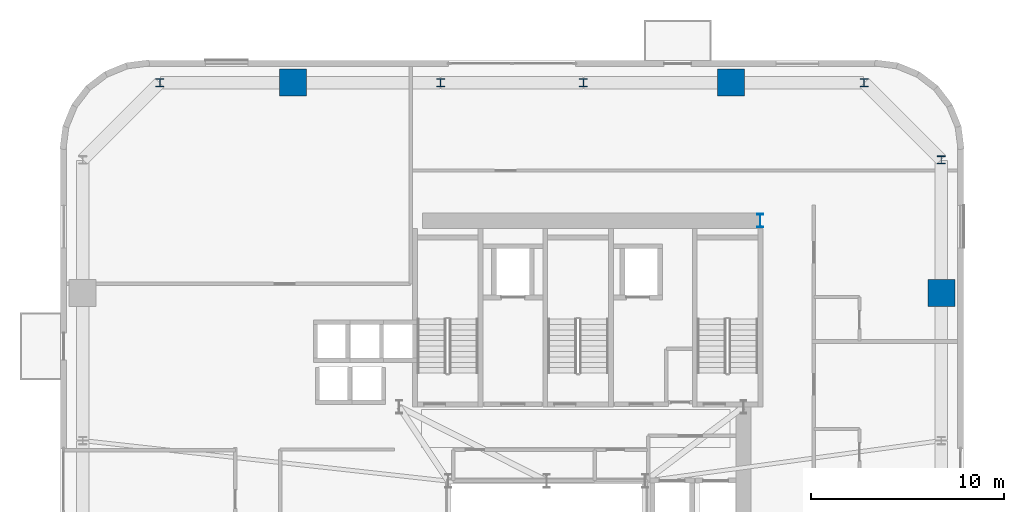
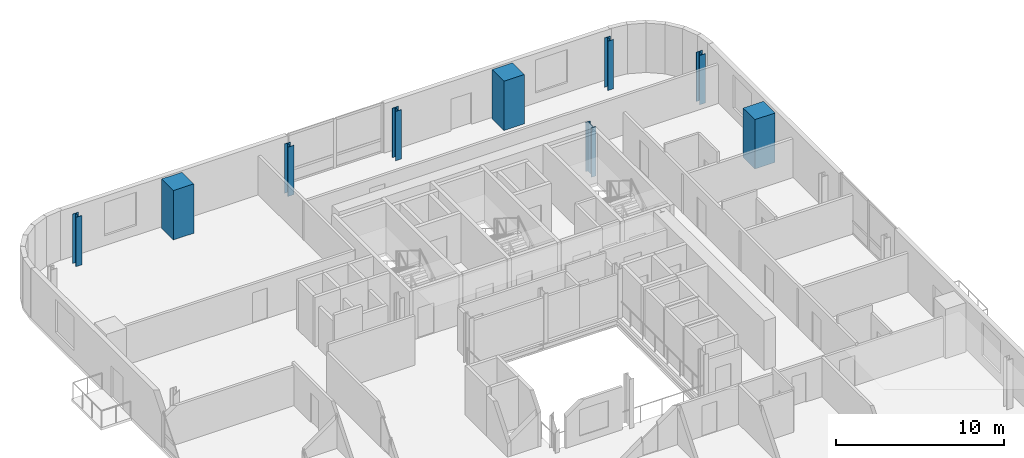
# One storey, part 2 of 14: 9 columns.
"""IFC4 building model written with IfcOpenShell, lengths in metres."""

from ifc_helpers import new_model, si_unit, direction, frame, origin, origin_2d, place, context, subcontext, project, spatial, rectangle, i_section, extrude, source, transform, mapped, material, material_profile, profile_set, type_object, element, save


model = new_model("IFC4")

# Units and contexts
model_context = context("Model", 3, precision=1e-05, world=origin(), true_north=direction((0.0, 1.0)))
body_context = subcontext(model_context, "Body", "Model", "MODEL_VIEW")
ifc_project = project(units=[si_unit("LENGTHUNIT", "METRE"), si_unit("AREAUNIT", "SQUARE_METRE"), si_unit("VOLUMEUNIT", "CUBIC_METRE"), si_unit("PLANEANGLEUNIT", "RADIAN"), si_unit("MASSUNIT", "GRAM", prefix="KILO")], contexts=[model_context])

# Site, building, storey
site_placement = place(None, origin())
site = spatial("IfcSite", under=ifc_project, at=site_placement, CompositionType="ELEMENT")
building_placement = place(site_placement, origin())
building = spatial("IfcBuilding", under=site, at=building_placement, Name="Vardaveli Station Tower", CompositionType="ELEMENT")
storey_placement = place(building_placement, frame((0.0, 0.0, 177.199951171875)))
storey = spatial("IfcBuildingStorey", under=building, at=storey_placement, Name="L45", CompositionType="ELEMENT", Elevation=177.199951171875)

# Columns
ifc_material_1 = material(Name="Structural steel S460M", Category="steel")
ifc_material_profile_1 = material_profile(ifc_material_1, i_section(OverallWidth=0.300048828125, OverallDepth=0.699951171875, WebThickness=0.01708984375, FlangeThickness=0.031982421875, FilletRadius=0.027099609375, at=origin_2d()), Name="HEB 700")
ifc_profile_set_1 = profile_set([ifc_material_profile_1], Name="Structural steel S460M")
column_type_1 = type_object("IfcColumnType", Name="COL-HEB700", PredefinedType="COLUMN", material=ifc_profile_set_1)
shared_shape_1 = source(origin(), body_context, "Body", "SweptSolid", [
    extrude(i_section(OverallWidth=0.300048828125, OverallDepth=0.699951171875, WebThickness=0.01708984375, FlangeThickness=0.031982421875, FilletRadius=0.027099609375, at=origin_2d()), origin(), (0.0, 0.0, 1.0), 3.580078125),
])
column_placement = place(storey_placement, frame((47.3701171875, 40.300048828125, 0.0), z_axis=(0.0, 0.0, 1.0), x_axis=(1.0, 0.0, 0.0)))
element("IfcColumn", 1, at=column_placement, inside=storey, type_object=column_type_1, Name="COL-L45-CC3", PredefinedType="COLUMN", context=body_context, shape_type="MappedRepresentation", body=[
    mapped(shared_shape_1, transform((0.0, 0.0, 0.0), scale=1.0)),
])
ifc_material_2 = material(Name="Concrete C50/60", Category="concrete")
ifc_material_profile_2 = material_profile(ifc_material_2, rectangle(XDim=1.39990234375, YDim=1.39990234375, at=origin_2d()), Name="MC 1400x1400")
ifc_profile_set_2 = profile_set([ifc_material_profile_2], Name="Concrete C50/60")
column_type_2 = type_object("IfcColumnType", Name="COL-MC-1400", PredefinedType="COLUMN", material=ifc_profile_set_2)
shared_shape_2 = source(origin(), body_context, "Body", "SweptSolid", [
    extrude(rectangle(XDim=1.39990234375, YDim=1.39990234375, at=origin_2d()), origin(), (0.0, 0.0, 1.0), 3.580078125),
])
for number, where, z_axis, x_axis, name in (
    (2, (56.75, 36.5400390625, 0.0), (0.0, 0.0, 1.0), (1.0, 0.0, 0.0), "COL-L45-MC4"),
    (3, (45.840087890625, 47.449951171875, 0.0), (0.0, 0.0, 1.0), (1.0, 0.0, 0.0), "COL-L45-MC5"),
    (4, (23.159912109375, 47.449951171875, 0.0), (0.0, 0.0, 1.0), (1.0, 0.0, 0.0), "COL-L45-MC6"),
):
    element("IfcColumn", number, at=place(storey_placement, frame(where, z_axis=z_axis, x_axis=x_axis)), inside=storey, type_object=column_type_2, Name=name, PredefinedType="COLUMN", context=body_context, shape_type="MappedRepresentation", body=[
        mapped(shared_shape_2, transform((0.0, 0.0, 0.0), scale=1.0)),
    ])
ifc_material_profile_3 = material_profile(ifc_material_1, i_section(OverallWidth=0.408935546875, OverallDepth=0.4169921875, WebThickness=0.021240234375, FlangeThickness=0.033203125, FilletRadius=0.014892578125, at=origin_2d()), Name="HD 400x347")
ifc_profile_set_3 = profile_set([ifc_material_profile_3], Name="Structural steel S460M")
column_type_3 = type_object("IfcColumnType", Name="COL-HD347", PredefinedType="COLUMN", material=ifc_profile_set_3)
shared_shape_3 = source(origin(), body_context, "Body", "SweptSolid", [
    extrude(i_section(OverallWidth=0.408935546875, OverallDepth=0.4169921875, WebThickness=0.021240234375, FlangeThickness=0.033203125, FilletRadius=0.014892578125, at=origin_2d()), origin(), (0.0, 0.0, 1.0), 3.580078125),
])
for number, where, z_axis, x_axis, name in (
    (5, (56.75, 43.449951171875, 0.0), (0.0, 0.0, 1.0), (1.0, 0.0, 0.0), "COL-L45-PC08"),
    (6, (52.75, 47.449951171875, 0.0), (0.0, 0.0, 1.0), (1.0, 0.0, 0.0), "COL-L45-PC09"),
    (7, (38.199951171875, 47.449951171875, 0.0), (0.0, 0.0, 1.0), (1.0, 0.0, 0.0), "COL-L45-PC10"),
    (8, (30.800048828125, 47.449951171875, 0.0), (0.0, 0.0, 1.0), (1.0, 0.0, 0.0), "COL-L45-PC11"),
    (9, (16.25, 47.449951171875, 0.0), (0.0, 0.0, 1.0), (1.0, 0.0, 0.0), "COL-L45-PC12"),
):
    element("IfcColumn", number, at=place(storey_placement, frame(where, z_axis=z_axis, x_axis=x_axis)), inside=storey, type_object=column_type_3, Name=name, PredefinedType="COLUMN", context=body_context, shape_type="MappedRepresentation", body=[
        mapped(shared_shape_3, transform((0.0, 0.0, 0.0), scale=1.0)),
    ])

save(model, "model.ifc")
